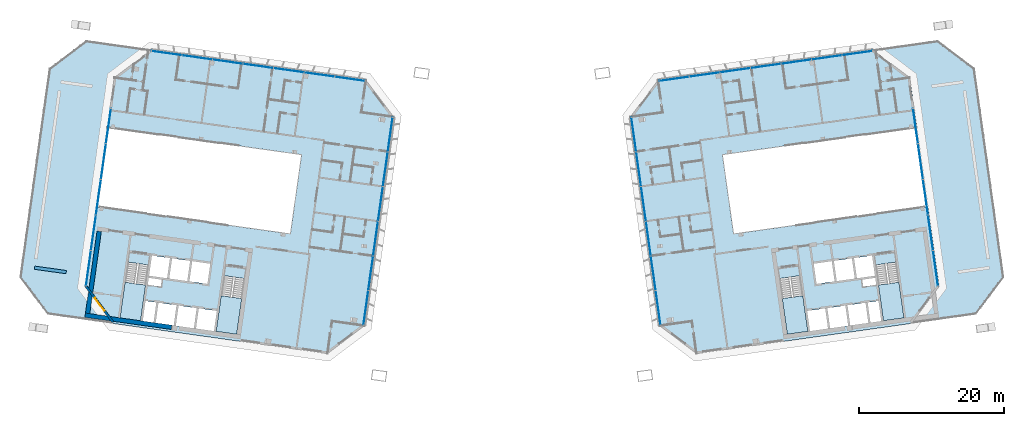
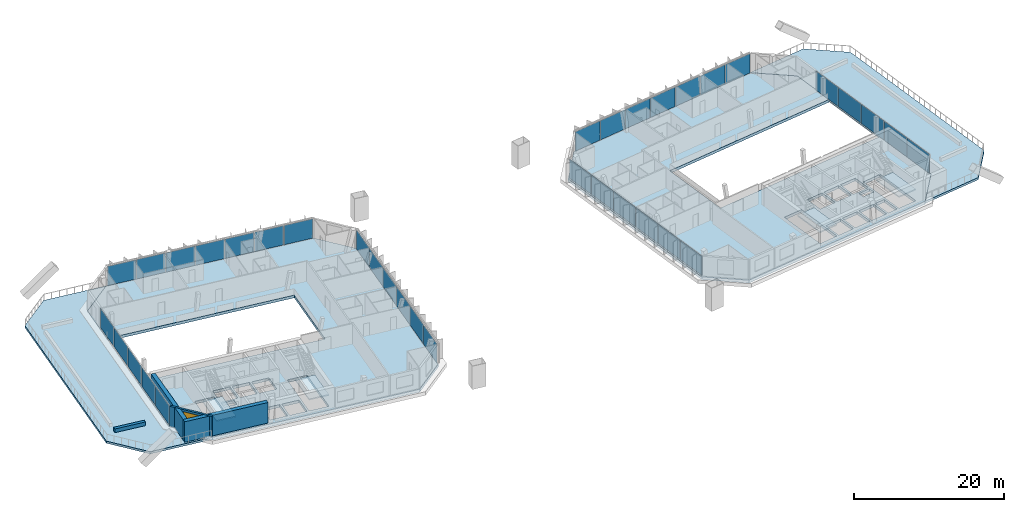
# One storey, part 8 of 17: 36 plates, 8 slabs, 4 walls, 1 window, 1 opening, 10 elements without a shape of their own.
"""IFC4 building model written with IfcOpenShell, lengths in metres."""

from ifc_helpers import new_model, si_unit, direction, frame, frame_2d, origin, origin_2d, place, context, subcontext, project, spatial, polyline, rectangle, outline, extrude, material, layer, layer_set, type_object, element, fill, aggregate, save


model = new_model("IFC4")

# Units and contexts
model_context = context("Model", 3, precision=1e-05, world=origin(), true_north=direction((0.0, 1.0)))
body_context = subcontext(model_context, "Body", "Model", "MODEL_VIEW")
ifc_project = project(units=[si_unit("LENGTHUNIT", "METRE"), si_unit("AREAUNIT", "SQUARE_METRE"), si_unit("VOLUMEUNIT", "CUBIC_METRE"), si_unit("PLANEANGLEUNIT", "RADIAN"), si_unit("MASSUNIT", "GRAM", prefix="KILO")], contexts=[model_context])

# Site, building, storey
site_placement = place(None, origin())
site = spatial("IfcSite", under=ifc_project, at=site_placement, CompositionType="ELEMENT")
building_placement = place(site_placement, origin())
building = spatial("IfcBuilding", under=site, at=building_placement, Name="Mirante Cascada Hotel Towers", CompositionType="ELEMENT")
storey_placement = place(building_placement, frame((0.0, 0.0, 250.8)))
storey = spatial("IfcBuildingStorey", under=building, at=storey_placement, Name="L60", CompositionType="ELEMENT", Elevation=250.8)

# Curtain wall, plates
ifc_material_1 = material(Name="Aluminium mullion and transom frame with clear laminated glass", Category="aluminium")
curtain_wall_type_1 = type_object("IfcCurtainWallType", Name="Ribbon curtain wall ECW1", PredefinedType="NOTDEFINED", material=ifc_material_1)
curtain_wall_1_placement = place(storey_placement, origin())
curtain_wall_1 = element("IfcCurtainWall", 1, at=curtain_wall_1_placement, inside=storey, type_object=curtain_wall_type_1, Name="Front ribbon wall T1 L60", PredefinedType="NOTDEFINED")
ifc_material_2 = material(Name="Clear laminated glass", Category="glass")
ifc_layer_1 = layer(ifc_material_2, 0.036)
ifc_layer_set_1 = layer_set([ifc_layer_1], Name="ECW1 glass panel 36")
plate_type_1 = type_object("IfcPlateType", Name="ECW1 glass panel 36", PredefinedType="CURTAIN_PANEL", material=ifc_layer_set_1)
plate_1_placement = place(storey_placement, frame((-47.4784, 19.4917, 0.1), z_axis=(0.0, 0.0, 1.0), x_axis=(0.9902681, -0.1391731, 0.0)))
plate_1 = element("IfcPlate", 2, at=plate_1_placement, type_object=plate_type_1, Name="ECW1 panel 1", PredefinedType="CURTAIN_PANEL", context=body_context, shape_type="SweptSolid", body=[
    extrude(rectangle(XDim=4.147, YDim=0.036, at=origin_2d()), origin(), (0.0, 0.0, 1.0), 3.15),
])
plate_2_placement = place(storey_placement, frame((-43.2913, 18.9032, 0.1), z_axis=(0.0, 0.0, 1.0), x_axis=(0.9902681, -0.1391731, 0.0)))
plate_2 = element("IfcPlate", 3, at=plate_2_placement, type_object=plate_type_1, Name="ECW1 panel 2", PredefinedType="CURTAIN_PANEL", context=body_context, shape_type="SweptSolid", body=[
    extrude(rectangle(XDim=4.1795, YDim=0.036, at=origin_2d()), origin(), (0.0, 0.0, 1.0), 3.15),
])
plate_3_placement = place(storey_placement, frame((-39.088, 18.3125, 0.1), z_axis=(0.0, 0.0, 1.0), x_axis=(0.9902681, -0.1391731, 0.0)))
plate_3 = element("IfcPlate", 4, at=plate_3_placement, type_object=plate_type_1, Name="ECW1 panel 3", PredefinedType="CURTAIN_PANEL", context=body_context, shape_type="SweptSolid", body=[
    extrude(rectangle(XDim=4.1795, YDim=0.036, at=origin_2d()), origin(), (0.0, 0.0, 1.0), 3.15),
])
plate_4_placement = place(storey_placement, frame((-34.8848, 17.7218, 0.1), z_axis=(0.0, 0.0, 1.0), x_axis=(0.9902681, -0.1391731, 0.0)))
plate_4 = element("IfcPlate", 5, at=plate_4_placement, type_object=plate_type_1, Name="ECW1 panel 4", PredefinedType="CURTAIN_PANEL", context=body_context, shape_type="SweptSolid", body=[
    extrude(rectangle(XDim=4.1795, YDim=0.036, at=origin_2d()), origin(), (0.0, 0.0, 1.0), 3.15),
])
plate_5_placement = place(storey_placement, frame((-30.6816, 17.131, 0.1), z_axis=(0.0, 0.0, 1.0), x_axis=(0.9902681, -0.1391731, 0.0)))
plate_5 = element("IfcPlate", 6, at=plate_5_placement, type_object=plate_type_1, Name="ECW1 panel 5", PredefinedType="CURTAIN_PANEL", context=body_context, shape_type="SweptSolid", body=[
    extrude(rectangle(XDim=4.1795, YDim=0.036, at=origin_2d()), origin(), (0.0, 0.0, 1.0), 3.15),
])
plate_6_placement = place(storey_placement, frame((-26.4784, 16.5403, 0.1), z_axis=(0.0, 0.0, 1.0), x_axis=(0.9902681, -0.1391731, 0.0)))
plate_6 = element("IfcPlate", 7, at=plate_6_placement, type_object=plate_type_1, Name="ECW1 panel 6", PredefinedType="CURTAIN_PANEL", context=body_context, shape_type="SweptSolid", body=[
    extrude(rectangle(XDim=4.1795, YDim=0.036, at=origin_2d()), origin(), (0.0, 0.0, 1.0), 3.15),
])
plate_7_placement = place(storey_placement, frame((-22.2913, 15.9519, 0.1), z_axis=(0.0, 0.0, 1.0), x_axis=(0.9902681, -0.1391731, 0.0)))
plate_7 = element("IfcPlate", 8, at=plate_7_placement, type_object=plate_type_1, Name="ECW1 panel 7", PredefinedType="CURTAIN_PANEL", context=body_context, shape_type="SweptSolid", body=[
    extrude(rectangle(XDim=4.147, YDim=0.036, at=origin_2d()), origin(), (0.0, 0.0, 1.0), 3.15),
])
aggregate(curtain_wall_1, [plate_1, plate_2, plate_3, plate_4, plate_5, plate_6, plate_7])

curtain_wall_2_placement = place(storey_placement, origin())
curtain_wall_2 = element("IfcCurtainWall", 9, at=curtain_wall_2_placement, inside=storey, type_object=curtain_wall_type_1, Name="Front ribbon wall T2 L60", PredefinedType="NOTDEFINED")
plate_8_placement = place(storey_placement, frame((47.4784, 19.4917, 0.1), z_axis=(0.0, 0.0, 1.0), x_axis=(-0.9902681, -0.1391731, 0.0)))
plate_8 = element("IfcPlate", 10, at=plate_8_placement, type_object=plate_type_1, Name="ECW1 panel 1", PredefinedType="CURTAIN_PANEL", context=body_context, shape_type="SweptSolid", body=[
    extrude(rectangle(XDim=4.147, YDim=0.036, at=origin_2d()), origin(), (0.0, 0.0, 1.0), 3.15),
])
plate_9_placement = place(storey_placement, frame((43.2913, 18.9032, 0.1), z_axis=(0.0, 0.0, 1.0), x_axis=(-0.9902681, -0.1391731, 0.0)))
plate_9 = element("IfcPlate", 11, at=plate_9_placement, type_object=plate_type_1, Name="ECW1 panel 2", PredefinedType="CURTAIN_PANEL", context=body_context, shape_type="SweptSolid", body=[
    extrude(rectangle(XDim=4.1795, YDim=0.036, at=origin_2d()), origin(), (0.0, 0.0, 1.0), 3.15),
])
plate_10_placement = place(storey_placement, frame((39.088, 18.3125, 0.1), z_axis=(0.0, 0.0, 1.0), x_axis=(-0.9902681, -0.1391731, 0.0)))
plate_10 = element("IfcPlate", 12, at=plate_10_placement, type_object=plate_type_1, Name="ECW1 panel 3", PredefinedType="CURTAIN_PANEL", context=body_context, shape_type="SweptSolid", body=[
    extrude(rectangle(XDim=4.1795, YDim=0.036, at=origin_2d()), origin(), (0.0, 0.0, 1.0), 3.15),
])
plate_11_placement = place(storey_placement, frame((34.8848, 17.7218, 0.1), z_axis=(0.0, 0.0, 1.0), x_axis=(-0.9902681, -0.1391731, 0.0)))
plate_11 = element("IfcPlate", 13, at=plate_11_placement, type_object=plate_type_1, Name="ECW1 panel 4", PredefinedType="CURTAIN_PANEL", context=body_context, shape_type="SweptSolid", body=[
    extrude(rectangle(XDim=4.1795, YDim=0.036, at=origin_2d()), origin(), (0.0, 0.0, 1.0), 3.15),
])
plate_12_placement = place(storey_placement, frame((30.6816, 17.131, 0.1), z_axis=(0.0, 0.0, 1.0), x_axis=(-0.9902681, -0.1391731, 0.0)))
plate_12 = element("IfcPlate", 14, at=plate_12_placement, type_object=plate_type_1, Name="ECW1 panel 5", PredefinedType="CURTAIN_PANEL", context=body_context, shape_type="SweptSolid", body=[
    extrude(rectangle(XDim=4.1795, YDim=0.036, at=origin_2d()), origin(), (0.0, 0.0, 1.0), 3.15),
])
plate_13_placement = place(storey_placement, frame((26.4784, 16.5403, 0.1), z_axis=(0.0, 0.0, 1.0), x_axis=(-0.9902681, -0.1391731, 0.0)))
plate_13 = element("IfcPlate", 15, at=plate_13_placement, type_object=plate_type_1, Name="ECW1 panel 6", PredefinedType="CURTAIN_PANEL", context=body_context, shape_type="SweptSolid", body=[
    extrude(rectangle(XDim=4.1795, YDim=0.036, at=origin_2d()), origin(), (0.0, 0.0, 1.0), 3.15),
])
plate_14_placement = place(storey_placement, frame((22.2913, 15.9519, 0.1), z_axis=(0.0, 0.0, 1.0), x_axis=(-0.9902681, -0.1391731, 0.0)))
plate_14 = element("IfcPlate", 16, at=plate_14_placement, type_object=plate_type_1, Name="ECW1 panel 7", PredefinedType="CURTAIN_PANEL", context=body_context, shape_type="SweptSolid", body=[
    extrude(rectangle(XDim=4.147, YDim=0.036, at=origin_2d()), origin(), (0.0, 0.0, 1.0), 3.15),
])
aggregate(curtain_wall_2, [plate_8, plate_9, plate_10, plate_11, plate_12, plate_13, plate_14])

ifc_material_3 = material(Name="Aluminium mullion and transom frame with clear laminated glass", Category="aluminium")
curtain_wall_type_2 = type_object("IfcCurtainWallType", Name="End ribbon curtain wall ECW2", PredefinedType="NOTDEFINED", material=ifc_material_3)
curtain_wall_3_placement = place(storey_placement, origin())
curtain_wall_3 = element("IfcCurtainWall", 17, at=curtain_wall_3_placement, inside=storey, type_object=curtain_wall_type_2, Name="Inner end wall T1 L60", PredefinedType="NOTDEFINED")
ifc_material_4 = material(Name="Clear laminated glass", Category="glass")
ifc_layer_2 = layer(ifc_material_4, 0.034)
ifc_layer_set_2 = layer_set([ifc_layer_2], Name="ECW2 glass panel 34")
plate_type_2 = type_object("IfcPlateType", Name="ECW2 glass panel 34", PredefinedType="CURTAIN_PANEL", material=ifc_layer_set_2)
plate_15_placement = place(storey_placement, frame((-16.7556, 8.272, 0.1), z_axis=(0.0, 0.0, 1.0), x_axis=(-0.1391731, -0.9902681, 0.0)))
plate_15 = element("IfcPlate", 18, at=plate_15_placement, type_object=plate_type_2, Name="ECW2 panel 1", PredefinedType="CURTAIN_PANEL", context=body_context, shape_type="SweptSolid", body=[
    extrude(rectangle(XDim=4.7151, YDim=0.034, at=origin_2d()), origin(), (0.0, 0.0, 1.0), 3.15),
])
plate_16_placement = place(storey_placement, frame((-17.4231, 3.5223, 0.1), z_axis=(0.0, 0.0, 1.0), x_axis=(-0.1391731, -0.9902681, 0.0)))
plate_16 = element("IfcPlate", 19, at=plate_16_placement, type_object=plate_type_2, Name="ECW2 panel 2", PredefinedType="CURTAIN_PANEL", context=body_context, shape_type="SweptSolid", body=[
    extrude(rectangle(XDim=4.7476, YDim=0.034, at=origin_2d()), origin(), (0.0, 0.0, 1.0), 3.15),
])
plate_17_placement = place(storey_placement, frame((-18.0929, -1.2435, 0.1), z_axis=(0.0, 0.0, 1.0), x_axis=(-0.1391731, -0.9902681, 0.0)))
plate_17 = element("IfcPlate", 20, at=plate_17_placement, type_object=plate_type_2, Name="ECW2 panel 3", PredefinedType="CURTAIN_PANEL", context=body_context, shape_type="SweptSolid", body=[
    extrude(rectangle(XDim=4.7476, YDim=0.034, at=origin_2d()), origin(), (0.0, 0.0, 1.0), 3.15),
])
plate_18_placement = place(storey_placement, frame((-18.7627, -6.0093, 0.1), z_axis=(0.0, 0.0, 1.0), x_axis=(-0.1391731, -0.9902681, 0.0)))
plate_18 = element("IfcPlate", 21, at=plate_18_placement, type_object=plate_type_2, Name="ECW2 panel 4", PredefinedType="CURTAIN_PANEL", context=body_context, shape_type="SweptSolid", body=[
    extrude(rectangle(XDim=4.7476, YDim=0.034, at=origin_2d()), origin(), (0.0, 0.0, 1.0), 3.15),
])
plate_19_placement = place(storey_placement, frame((-19.4325, -10.775, 0.1), z_axis=(0.0, 0.0, 1.0), x_axis=(-0.1391731, -0.9902681, 0.0)))
plate_19 = element("IfcPlate", 22, at=plate_19_placement, type_object=plate_type_2, Name="ECW2 panel 5", PredefinedType="CURTAIN_PANEL", context=body_context, shape_type="SweptSolid", body=[
    extrude(rectangle(XDim=4.7476, YDim=0.034, at=origin_2d()), origin(), (0.0, 0.0, 1.0), 3.15),
])
plate_20_placement = place(storey_placement, frame((-20.1, -15.5247, 0.1), z_axis=(0.0, 0.0, 1.0), x_axis=(-0.1391731, -0.9902681, 0.0)))
plate_20 = element("IfcPlate", 23, at=plate_20_placement, type_object=plate_type_2, Name="ECW2 panel 6", PredefinedType="CURTAIN_PANEL", context=body_context, shape_type="SweptSolid", body=[
    extrude(rectangle(XDim=4.7151, YDim=0.034, at=origin_2d()), origin(), (0.0, 0.0, 1.0), 3.15),
])
aggregate(curtain_wall_3, [plate_15, plate_16, plate_17, plate_18, plate_19, plate_20])

curtain_wall_4_placement = place(storey_placement, origin())
curtain_wall_4 = element("IfcCurtainWall", 24, at=curtain_wall_4_placement, inside=storey, type_object=curtain_wall_type_2, Name="Inner end wall T2 L60", PredefinedType="NOTDEFINED")
plate_21_placement = place(storey_placement, frame((16.7556, 8.272, 0.1), z_axis=(0.0, 0.0, 1.0), x_axis=(0.1391731, -0.9902681, 0.0)))
plate_21 = element("IfcPlate", 25, at=plate_21_placement, type_object=plate_type_2, Name="ECW2 panel 1", PredefinedType="CURTAIN_PANEL", context=body_context, shape_type="SweptSolid", body=[
    extrude(rectangle(XDim=4.7151, YDim=0.034, at=origin_2d()), origin(), (0.0, 0.0, 1.0), 3.15),
])
plate_22_placement = place(storey_placement, frame((17.4231, 3.5223, 0.1), z_axis=(0.0, 0.0, 1.0), x_axis=(0.1391731, -0.9902681, 0.0)))
plate_22 = element("IfcPlate", 26, at=plate_22_placement, type_object=plate_type_2, Name="ECW2 panel 2", PredefinedType="CURTAIN_PANEL", context=body_context, shape_type="SweptSolid", body=[
    extrude(rectangle(XDim=4.7476, YDim=0.034, at=origin_2d()), origin(), (0.0, 0.0, 1.0), 3.15),
])
plate_23_placement = place(storey_placement, frame((18.0929, -1.2435, 0.1), z_axis=(0.0, 0.0, 1.0), x_axis=(0.1391731, -0.9902681, 0.0)))
plate_23 = element("IfcPlate", 27, at=plate_23_placement, type_object=plate_type_2, Name="ECW2 panel 3", PredefinedType="CURTAIN_PANEL", context=body_context, shape_type="SweptSolid", body=[
    extrude(rectangle(XDim=4.7476, YDim=0.034, at=origin_2d()), origin(), (0.0, 0.0, 1.0), 3.15),
])
plate_24_placement = place(storey_placement, frame((18.7627, -6.0093, 0.1), z_axis=(0.0, 0.0, 1.0), x_axis=(0.1391731, -0.9902681, 0.0)))
plate_24 = element("IfcPlate", 28, at=plate_24_placement, type_object=plate_type_2, Name="ECW2 panel 4", PredefinedType="CURTAIN_PANEL", context=body_context, shape_type="SweptSolid", body=[
    extrude(rectangle(XDim=4.7476, YDim=0.034, at=origin_2d()), origin(), (0.0, 0.0, 1.0), 3.15),
])
plate_25_placement = place(storey_placement, frame((19.4325, -10.775, 0.1), z_axis=(0.0, 0.0, 1.0), x_axis=(0.1391731, -0.9902681, 0.0)))
plate_25 = element("IfcPlate", 29, at=plate_25_placement, type_object=plate_type_2, Name="ECW2 panel 5", PredefinedType="CURTAIN_PANEL", context=body_context, shape_type="SweptSolid", body=[
    extrude(rectangle(XDim=4.7476, YDim=0.034, at=origin_2d()), origin(), (0.0, 0.0, 1.0), 3.15),
])
plate_26_placement = place(storey_placement, frame((20.1, -15.5247, 0.1), z_axis=(0.0, 0.0, 1.0), x_axis=(0.1391731, -0.9902681, 0.0)))
plate_26 = element("IfcPlate", 30, at=plate_26_placement, type_object=plate_type_2, Name="ECW2 panel 6", PredefinedType="CURTAIN_PANEL", context=body_context, shape_type="SweptSolid", body=[
    extrude(rectangle(XDim=4.7151, YDim=0.034, at=origin_2d()), origin(), (0.0, 0.0, 1.0), 3.15),
])
aggregate(curtain_wall_4, [plate_21, plate_22, plate_23, plate_24, plate_25, plate_26])

ifc_material_5 = material(Name="Aluminium mullion and transom frame with clear laminated glass", Category="aluminium")
curtain_wall_type_3 = type_object("IfcCurtainWallType", Name="Sky garden curtain wall ECW4", PredefinedType="NOTDEFINED", material=ifc_material_5)
curtain_wall_5_placement = place(storey_placement, origin())
curtain_wall_5 = element("IfcCurtainWall", 31, at=curtain_wall_5_placement, inside=storey, type_object=curtain_wall_type_3, Name="Sky garden wall T1 L60 run 1", PredefinedType="NOTDEFINED")
ifc_material_6 = material(Name="Clear laminated glass", Category="glass")
ifc_layer_3 = layer(ifc_material_6, 0.038)
ifc_layer_set_3 = layer_set([ifc_layer_3], Name="ECW4 glass panel 38")
plate_type_3 = type_object("IfcPlateType", Name="ECW4 glass panel 38", PredefinedType="CURTAIN_PANEL", material=ifc_layer_set_3)
plate_27_placement = place(storey_placement, frame((-58.2512, -10.0923, 0.11), z_axis=(0.0, 0.0, 1.0), x_axis=(0.1391731, 0.9902681, 0.0)))
plate_27 = element("IfcPlate", 32, at=plate_27_placement, type_object=plate_type_3, Name="ECW4 panel 1", PredefinedType="CURTAIN_PANEL", context=body_context, shape_type="SweptSolid", body=[
    extrude(rectangle(XDim=4.8351, YDim=0.038, at=origin_2d()), origin(), (0.0, 0.0, 1.0), 3.13),
])
plate_28_placement = place(storey_placement, frame((-57.5652, -5.2114, 0.11), z_axis=(0.0, 0.0, 1.0), x_axis=(0.1391731, 0.9902681, 0.0)))
plate_28 = element("IfcPlate", 33, at=plate_28_placement, type_object=plate_type_3, Name="ECW4 panel 2", PredefinedType="CURTAIN_PANEL", context=body_context, shape_type="SweptSolid", body=[
    extrude(rectangle(XDim=4.8726, YDim=0.038, at=origin_2d()), origin(), (0.0, 0.0, 1.0), 3.13),
])
plate_29_placement = place(storey_placement, frame((-56.8766, -0.312, 0.11), z_axis=(0.0, 0.0, 1.0), x_axis=(0.1391731, 0.9902681, 0.0)))
plate_29 = element("IfcPlate", 34, at=plate_29_placement, type_object=plate_type_3, Name="ECW4 panel 3", PredefinedType="CURTAIN_PANEL", context=body_context, shape_type="SweptSolid", body=[
    extrude(rectangle(XDim=4.8726, YDim=0.038, at=origin_2d()), origin(), (0.0, 0.0, 1.0), 3.13),
])
plate_30_placement = place(storey_placement, frame((-56.1881, 4.5874, 0.11), z_axis=(0.0, 0.0, 1.0), x_axis=(0.1391731, 0.9902681, 0.0)))
plate_30 = element("IfcPlate", 35, at=plate_30_placement, type_object=plate_type_3, Name="ECW4 panel 4", PredefinedType="CURTAIN_PANEL", context=body_context, shape_type="SweptSolid", body=[
    extrude(rectangle(XDim=4.8726, YDim=0.038, at=origin_2d()), origin(), (0.0, 0.0, 1.0), 3.13),
])
plate_31_placement = place(storey_placement, frame((-55.5021, 9.4683, 0.11), z_axis=(0.0, 0.0, 1.0), x_axis=(0.1391731, 0.9902681, 0.0)))
plate_31 = element("IfcPlate", 36, at=plate_31_placement, type_object=plate_type_3, Name="ECW4 panel 5", PredefinedType="CURTAIN_PANEL", context=body_context, shape_type="SweptSolid", body=[
    extrude(rectangle(XDim=4.8351, YDim=0.038, at=origin_2d()), origin(), (0.0, 0.0, 1.0), 3.13),
])
aggregate(curtain_wall_5, [plate_27, plate_28, plate_29, plate_30, plate_31])

curtain_wall_6_placement = place(storey_placement, origin())
curtain_wall_6 = element("IfcCurtainWall", 37, at=curtain_wall_6_placement, inside=storey, type_object=curtain_wall_type_3, Name="Sky garden wall T2 L60 run 1", PredefinedType="NOTDEFINED")
plate_32_placement = place(storey_placement, frame((58.2512, -10.0923, 0.11), z_axis=(0.0, 0.0, 1.0), x_axis=(-0.1391731, 0.9902681, 0.0)))
plate_32 = element("IfcPlate", 38, at=plate_32_placement, type_object=plate_type_3, Name="ECW4 panel 1", PredefinedType="CURTAIN_PANEL", context=body_context, shape_type="SweptSolid", body=[
    extrude(rectangle(XDim=4.8351, YDim=0.038, at=origin_2d()), origin(), (0.0, 0.0, 1.0), 3.13),
])
plate_33_placement = place(storey_placement, frame((57.5652, -5.2114, 0.11), z_axis=(0.0, 0.0, 1.0), x_axis=(-0.1391731, 0.9902681, 0.0)))
plate_33 = element("IfcPlate", 39, at=plate_33_placement, type_object=plate_type_3, Name="ECW4 panel 2", PredefinedType="CURTAIN_PANEL", context=body_context, shape_type="SweptSolid", body=[
    extrude(rectangle(XDim=4.8726, YDim=0.038, at=origin_2d()), origin(), (0.0, 0.0, 1.0), 3.13),
])
plate_34_placement = place(storey_placement, frame((56.8766, -0.312, 0.11), z_axis=(0.0, 0.0, 1.0), x_axis=(-0.1391731, 0.9902681, 0.0)))
plate_34 = element("IfcPlate", 40, at=plate_34_placement, type_object=plate_type_3, Name="ECW4 panel 3", PredefinedType="CURTAIN_PANEL", context=body_context, shape_type="SweptSolid", body=[
    extrude(rectangle(XDim=4.8726, YDim=0.038, at=origin_2d()), origin(), (0.0, 0.0, 1.0), 3.13),
])
plate_35_placement = place(storey_placement, frame((56.1881, 4.5874, 0.11), z_axis=(0.0, 0.0, 1.0), x_axis=(-0.1391731, 0.9902681, 0.0)))
plate_35 = element("IfcPlate", 41, at=plate_35_placement, type_object=plate_type_3, Name="ECW4 panel 4", PredefinedType="CURTAIN_PANEL", context=body_context, shape_type="SweptSolid", body=[
    extrude(rectangle(XDim=4.8726, YDim=0.038, at=origin_2d()), origin(), (0.0, 0.0, 1.0), 3.13),
])
plate_36_placement = place(storey_placement, frame((55.5021, 9.4683, 0.11), z_axis=(0.0, 0.0, 1.0), x_axis=(-0.1391731, 0.9902681, 0.0)))
plate_36 = element("IfcPlate", 42, at=plate_36_placement, type_object=plate_type_3, Name="ECW4 panel 5", PredefinedType="CURTAIN_PANEL", context=body_context, shape_type="SweptSolid", body=[
    extrude(rectangle(XDim=4.8351, YDim=0.038, at=origin_2d()), origin(), (0.0, 0.0, 1.0), 3.13),
])
aggregate(curtain_wall_6, [plate_32, plate_33, plate_34, plate_35, plate_36])

# Stair, slab
ifc_material_7 = material(Name="Concrete C35/45", Category="concrete")
stair_type = type_object("IfcStairType", Name="Exit stair half-turn 1350 concrete C35/45", PredefinedType="HALF_TURN_STAIR", material=ifc_material_7)
stair_1_placement = place(storey_placement, origin())
stair_1 = element("IfcStair", 43, at=stair_1_placement, inside=storey, type_object=stair_type, Name="L60 Exit stair A", PredefinedType="HALF_TURN_STAIR")
ifc_material_8 = material(Name="Concrete C35/45", Category="concrete")
ifc_layer_4 = layer(ifc_material_8, 0.2)
ifc_layer_set_4 = layer_set([ifc_layer_4], Name="Exit stair landing 200 concrete C35/45")
slab_type_1 = type_object("IfcSlabType", Name="Exit stair landing 200 concrete C35/45", PredefinedType="LANDING", material=ifc_layer_set_4)
slab_1_placement = place(storey_placement, frame((0.0, 0.0, 1.7)))
slab_1 = element("IfcSlab", 44, at=slab_1_placement, type_object=slab_type_1, Name="ST1-A landing 1", PredefinedType="LANDING", context=body_context, shape_type="SweptSolid", body=[
    extrude(outline(polyline([(-39.9987, -13.8659), (-40.6887, -18.7757), (-37.8665, -19.1723), (-37.1765, -14.2626), (-39.9987, -13.8659)])), origin(), (0.0, 0.0, 1.0), 0.2),
])
aggregate(stair_1, [slab_1])

stair_2_placement = place(storey_placement, origin())
stair_2 = element("IfcStair", 45, at=stair_2_placement, inside=storey, type_object=stair_type, Name="L60 Exit stair B", PredefinedType="HALF_TURN_STAIR")
slab_2_placement = place(storey_placement, frame((0.0, 0.0, 1.7)))
slab_2 = element("IfcSlab", 46, at=slab_2_placement, type_object=slab_type_1, Name="ST1-B landing 1", PredefinedType="LANDING", context=body_context, shape_type="SweptSolid", body=[
    extrude(outline(polyline([(-53.2188, -12.008), (-53.9088, -16.9177), (-51.0866, -17.3144), (-50.3965, -12.4046), (-53.2188, -12.008)])), origin(), (0.0, 0.0, 1.0), 0.2),
])
aggregate(stair_2, [slab_2])

stair_3_placement = place(storey_placement, origin())
stair_3 = element("IfcStair", 47, at=stair_3_placement, inside=storey, type_object=stair_type, Name="L60 Exit stair A", PredefinedType="HALF_TURN_STAIR")
slab_3_placement = place(storey_placement, frame((0.0, 0.0, 1.7)))
slab_3 = element("IfcSlab", 48, at=slab_3_placement, type_object=slab_type_1, Name="ST2-A landing 1", PredefinedType="LANDING", context=body_context, shape_type="SweptSolid", body=[
    extrude(outline(polyline([(37.1765, -14.2626), (37.8665, -19.1723), (40.6887, -18.7757), (39.9987, -13.8659), (37.1765, -14.2626)])), origin(), (0.0, 0.0, 1.0), 0.2),
])
aggregate(stair_3, [slab_3])

stair_4_placement = place(storey_placement, origin())
stair_4 = element("IfcStair", 49, at=stair_4_placement, inside=storey, type_object=stair_type, Name="L60 Exit stair B", PredefinedType="HALF_TURN_STAIR")
slab_4_placement = place(storey_placement, frame((0.0, 0.0, 1.7)))
slab_4 = element("IfcSlab", 50, at=slab_4_placement, type_object=slab_type_1, Name="ST2-B landing 1", PredefinedType="LANDING", context=body_context, shape_type="SweptSolid", body=[
    extrude(outline(polyline([(50.3965, -12.4046), (51.0866, -17.3144), (53.9088, -16.9177), (53.2188, -12.008), (50.3965, -12.4046)])), origin(), (0.0, 0.0, 1.0), 0.2),
])
aggregate(stair_4, [slab_4])

# Slabs
ifc_material_9 = material(Name="Concrete C40/50", Category="concrete")
ifc_layer_5 = layer(ifc_material_9, 0.45)
ifc_layer_set_5 = layer_set([ifc_layer_5], Name="Post-tensioned flat plate 450 Concrete C40/50")
slab_type_2 = type_object("IfcSlabType", Name="Post-tensioned flat plate 450 Concrete C40/50", PredefinedType="FLOOR", material=ifc_layer_set_5)
slab_5_placement = place(storey_placement, frame((0.0, 0.0, -0.45)))
element("IfcSlab", 51, at=slab_5_placement, inside=storey, type_object=slab_type_2, Name="Floor T1 L60", PredefinedType="FLOOR", context=body_context, shape_type="SweptSolid", body=[
    extrude(outline(polyline([(-20.2972, -18.0061), (-16.2612, 10.7116), (-20.0912, 15.7941), (-49.6367, 19.9465), (-49.6367, 19.9465), (-49.6367, 19.9465), (-49.6367, 19.9465), (-49.6367, 19.9465), (-49.6367, 19.9465), (-49.6367, 19.9465), (-49.6367, 19.9465), (-49.6367, 19.9465), (-54.7192, 16.1166), (-55.6795, 9.2837), (-28.9423, 5.526), (-30.4732, -5.3669), (-57.2104, -1.6092), (-58.7552, -12.6012), (-54.9253, -17.6837), (-54.9253, -17.6837), (-54.9253, -17.6837), (-54.9253, -17.6837), (-54.9253, -17.6837), (-54.9253, -17.6837), (-54.9253, -17.6837), (-54.9253, -17.6837), (-54.9253, -17.6837), (-25.3797, -21.8361), (-20.2972, -18.0061)]), holes=[polyline([(-40.5961, -15.9612), (-40.9858, -18.7339), (-43.4615, -18.386), (-43.0718, -15.6132), (-40.5961, -15.9612)]), polyline([(-43.3689, -15.5715), (-43.7586, -18.3442), (-46.2342, -17.9963), (-45.8446, -15.2236), (-43.3689, -15.5715)]), polyline([(-37.8665, -19.1723), (-40.6887, -18.7757), (-39.611, -11.107), (-36.7887, -11.5037), (-37.8665, -19.1723)]), polyline([(-43.9775, -9.124), (-41.5018, -9.472), (-41.8915, -12.2447), (-44.3672, -11.8968), (-43.9775, -9.124)]), polyline([(-46.7503, -8.7344), (-44.2746, -9.0823), (-44.6643, -11.855), (-47.1399, -11.5071), (-46.7503, -8.7344)]), polyline([(-48.6173, -14.8339), (-46.1416, -15.1818), (-46.5313, -17.9546), (-49.007, -17.6066), (-48.6173, -14.8339)]), polyline([(-50.3998, -14.5834), (-48.9144, -14.7921), (-49.3041, -17.5649), (-50.7895, -17.3561), (-50.3998, -14.5834)]), polyline([(-51.0866, -17.3144), (-53.9088, -16.9177), (-52.8311, -9.2491), (-50.0088, -9.6457), (-51.0866, -17.3144)]), polyline([(-49.9544, -11.4145), (-48.1472, -11.6685), (-48.2829, -12.634), (-50.0901, -12.38), (-49.9544, -11.4145)]), polyline([(-49.523, -8.3447), (-47.0473, -8.6926), (-47.437, -11.4654), (-49.9127, -11.1174), (-49.523, -8.3447)])]), origin(), (0.0, 0.0, 1.0), 0.45),
])
slab_6_placement = place(storey_placement, frame((0.0, 0.0, -0.45)))
element("IfcSlab", 52, at=slab_6_placement, inside=storey, type_object=slab_type_2, Name="Floor T2 L60", PredefinedType="FLOOR", context=body_context, shape_type="SweptSolid", body=[
    extrude(outline(polyline([(20.2972, -18.0061), (16.2612, 10.7116), (20.0912, 15.7941), (49.6367, 19.9465), (49.6367, 19.9465), (49.6367, 19.9465), (49.6367, 19.9465), (49.6367, 19.9465), (49.6367, 19.9465), (49.6367, 19.9465), (49.6367, 19.9465), (49.6367, 19.9465), (54.7192, 16.1166), (55.6795, 9.2837), (28.9423, 5.526), (30.4732, -5.3669), (57.2104, -1.6092), (58.7552, -12.6012), (54.9253, -17.6837), (54.9253, -17.6837), (54.9253, -17.6837), (54.9253, -17.6837), (54.9253, -17.6837), (54.9253, -17.6837), (54.9253, -17.6837), (54.9253, -17.6837), (54.9253, -17.6837), (25.3797, -21.8361), (20.2972, -18.0061)]), holes=[polyline([(40.5961, -15.9612), (40.9858, -18.7339), (43.4615, -18.386), (43.0718, -15.6132), (40.5961, -15.9612)]), polyline([(43.3689, -15.5715), (43.7586, -18.3442), (46.2342, -17.9963), (45.8446, -15.2236), (43.3689, -15.5715)]), polyline([(40.6887, -18.7757), (39.611, -11.107), (36.7887, -11.5037), (37.8665, -19.1723), (40.6887, -18.7757)]), polyline([(43.9775, -9.124), (41.5018, -9.472), (41.8915, -12.2447), (44.3672, -11.8968), (43.9775, -9.124)]), polyline([(46.7503, -8.7344), (44.2746, -9.0823), (44.6643, -11.855), (47.1399, -11.5071), (46.7503, -8.7344)]), polyline([(48.6173, -14.8339), (46.1416, -15.1818), (46.5313, -17.9546), (49.007, -17.6066), (48.6173, -14.8339)]), polyline([(50.3998, -14.5834), (48.9144, -14.7921), (49.3041, -17.5649), (50.7895, -17.3561), (50.3998, -14.5834)]), polyline([(53.9088, -16.9177), (52.8311, -9.2491), (50.0088, -9.6457), (51.0866, -17.3144), (53.9088, -16.9177)]), polyline([(49.9544, -11.4145), (48.1472, -11.6685), (48.2829, -12.634), (50.0901, -12.38), (49.9544, -11.4145)]), polyline([(49.523, -8.3447), (47.0473, -8.6926), (47.437, -11.4654), (49.9127, -11.1174), (49.523, -8.3447)])]), origin(), (0.0, 0.0, 1.0), 0.45),
])
ifc_material_10 = material(Name="Concrete C40/50", Category="concrete")
ifc_layer_6 = layer(ifc_material_10, 0.35)
ifc_layer_set_6 = layer_set([ifc_layer_6], Name="Terrace slab 350 Concrete C40/50")
slab_type_3 = type_object("IfcSlabType", Name="Terrace slab 350 Concrete C40/50", PredefinedType="FLOOR", material=ifc_layer_set_6)
slab_7_placement = place(storey_placement, frame((0.0, 0.0, -0.35)))
element("IfcSlab", 53, at=slab_7_placement, inside=storey, type_object=slab_type_3, Name="Terrace T1 L60", PredefinedType="FLOOR", context=body_context, shape_type="SweptSolid", body=[
    extrude(outline(polyline([(-58.5492, 21.199), (-63.6316, 17.3691), (-67.6677, -11.3487), (-63.8377, -16.4311), (-54.9253, -17.6837), (-58.7552, -12.6012), (-54.7192, 16.1166), (-49.6367, 19.9465), (-58.5492, 21.199)])), origin(), (0.0, 0.0, 1.0), 0.35),
])
slab_8_placement = place(storey_placement, frame((0.0, 0.0, -0.35)))
element("IfcSlab", 54, at=slab_8_placement, inside=storey, type_object=slab_type_3, Name="Terrace T2 L60", PredefinedType="FLOOR", context=body_context, shape_type="SweptSolid", body=[
    extrude(outline(polyline([(58.5492, 21.199), (63.6316, 17.3691), (67.6677, -11.3487), (63.8377, -16.4311), (54.9253, -17.6837), (58.7552, -12.6012), (54.7192, 16.1166), (49.6367, 19.9465), (58.5492, 21.199)])), origin(), (0.0, 0.0, 1.0), 0.35),
])

# Wall
ifc_material_11 = material(Name="Precast concrete C40/50", Category="concrete")
ifc_layer_7 = layer(ifc_material_11, 0.45)
ifc_layer_set_7 = layer_set([ifc_layer_7], Name="Planter wall 450 concrete C40/50")
wall_type_1 = type_object("IfcWallType", Name="Planter wall 450 concrete C40/50", PredefinedType="PARAPET", material=ifc_layer_set_7)
wall_1_placement = place(storey_placement, frame((-61.3053, -10.6271, 0.0), z_axis=(0.0, 0.0, 1.0), x_axis=(-0.990267, 0.139181, 0.0)))
element("IfcWall", 55, at=wall_1_placement, inside=storey, type_object=wall_type_1, Name="PLANTER T1 L60 bed 1", PredefinedType="PARAPET", context=body_context, shape_type="SweptSolid", body=[
    extrude(rectangle(XDim=4.4, YDim=0.45, at=frame_2d((2.2, 0.0))), origin(), (0.0, 0.0, 1.0), 0.6),
])

# Wall, opening, window
ifc_material_12 = material(Name="Precast concrete C40/50", Category="concrete")
ifc_layer_8 = layer(ifc_material_12, 0.3)
ifc_layer_set_8 = layer_set([ifc_layer_8], Name="Precast concrete C40/50 cladding wall 300")
wall_type_2 = type_object("IfcWallType", Name="Precast concrete C40/50 cladding wall 300", PredefinedType="STANDARD", material=ifc_layer_set_8)
wall_2_placement = place(storey_placement, frame((-54.8802, -17.4943, 0.0), z_axis=(0.0, 0.0, 1.0), x_axis=(-0.6018141, 0.7986362, 0.0)))
wall_2 = element("IfcWall", 56, at=wall_2_placement, inside=storey, type_object=wall_type_2, Name="Corner cladding wall T1 L60 rear outer", PredefinedType="STANDARD", context=body_context, shape_type="SweptSolid", body=[
    extrude(rectangle(XDim=6.1157, YDim=0.3, at=frame_2d((3.0578, 0.0))), origin(), (0.0, 0.0, 1.0), 3.35),
])
opening_placement = place(wall_2_placement, frame((1.9428, 0.0, 0.6)))
opening = element("IfcOpeningElement", 57, at=opening_placement, cuts=wall_2, Name="Opening W1-60-04", PredefinedType="OPENING", context=body_context, shape_type="SweptSolid", body=[
    extrude(rectangle(XDim=2.2, YDim=2.4, at=frame_2d((1.1, 1.2))), frame((0.0, 0.15, 0.0), z_axis=(0.0, -1.0, 0.0), x_axis=(1.0, 0.0, 0.0)), (0.0, 0.0, 1.0), 0.3),
])
ifc_material_13 = material(Name="Aluminium frame with clear double glazing", Category="aluminium")
window_type = type_object("IfcWindowType", Name="Corner suite window 2200x2400", PartitioningType="DOUBLE_PANEL_VERTICAL", PredefinedType="WINDOW", material=ifc_material_13)
window_placement = place(opening_placement, origin())
window = element("IfcWindow", 58, at=window_placement, inside=storey, type_object=window_type, Name="Window W1-60-04", OverallHeight=2.4, OverallWidth=2.2, PartitioningType="SINGLE_PANEL", PredefinedType="WINDOW", context=body_context, shape_type="SweptSolid", body=[
    extrude(rectangle(XDim=2.2, YDim=2.4, at=frame_2d((1.1, 1.2))), frame((0.0, 0.03, 0.0), z_axis=(0.0, -1.0, 0.0), x_axis=(1.0, 0.0, 0.0)), (0.0, 0.0, 1.0), 0.06),
])
fill(opening, window)

# Walls
ifc_material_14 = material(Name="Concrete C50/60", Category="concrete")
ifc_layer_9 = layer(ifc_material_14, 0.6)
ifc_layer_set_9 = layer_set([ifc_layer_9], Name="RC core wall 600 C50/60")
wall_type_3 = type_object("IfcWallType", Name="RC core wall 600 C50/60", PredefinedType="SHEAR", material=ifc_layer_set_9)
wall_3_placement = place(storey_placement, frame((-46.8253, -18.2162, 0.0), z_axis=(0.0, 0.0, 1.0), x_axis=(-0.9902684, 0.1391708, 0.0)))
element("IfcWall", 59, at=wall_3_placement, inside=storey, type_object=wall_type_3, Name="Core wall T1:L60:1.2", PredefinedType="SHEAR", context=body_context, shape_type="SweptSolid", body=[
    extrude(rectangle(XDim=11.9953, YDim=0.6, at=frame_2d((5.9976, 0.0))), origin(), (0.0, 0.0, 1.0), 3.35),
])
wall_4_placement = place(storey_placement, frame((-58.365, -16.2914, 0.0), z_axis=(0.0, 0.0, 1.0), x_axis=(0.1391675, 0.9902689, 0.0)))
element("IfcWall", 60, at=wall_4_placement, inside=storey, type_object=wall_type_3, Name="Core wall T1:L60:4", PredefinedType="SHEAR", context=body_context, shape_type="SweptSolid", body=[
    extrude(rectangle(XDim=11.3999, YDim=0.6, at=frame_2d((5.7, 0.0))), origin(), (0.0, 0.0, 1.0), 3.35),
])

save(model, "model.ifc")
